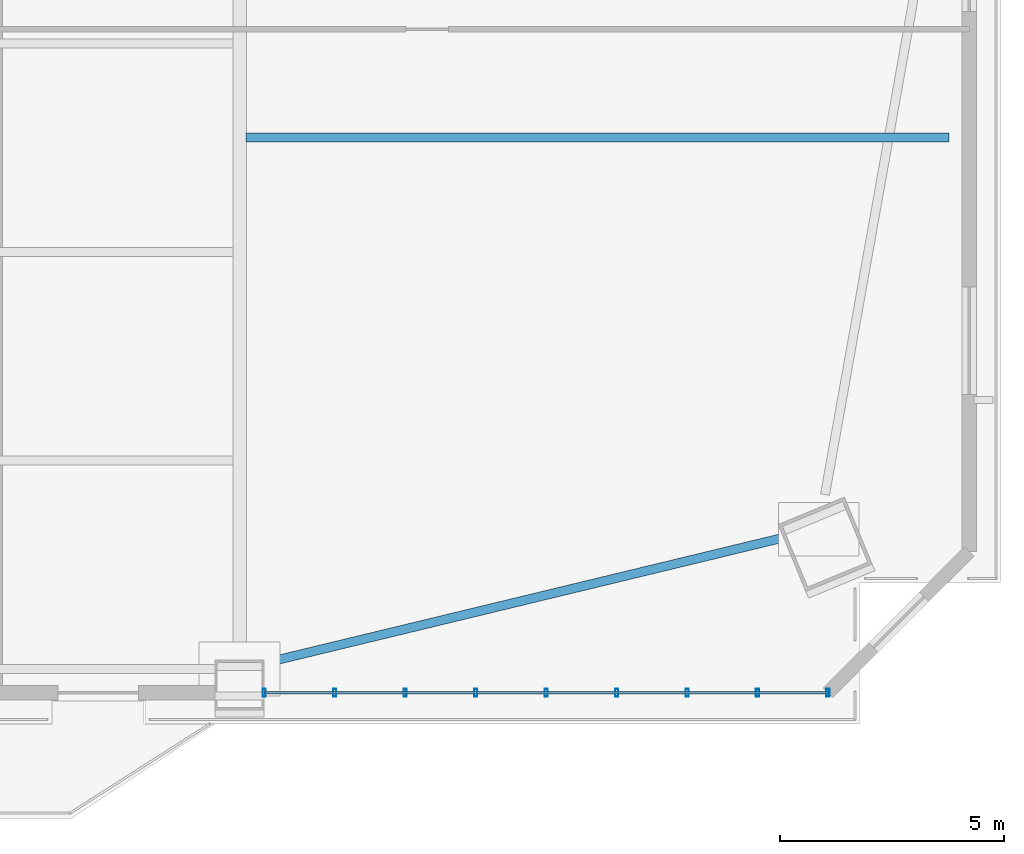
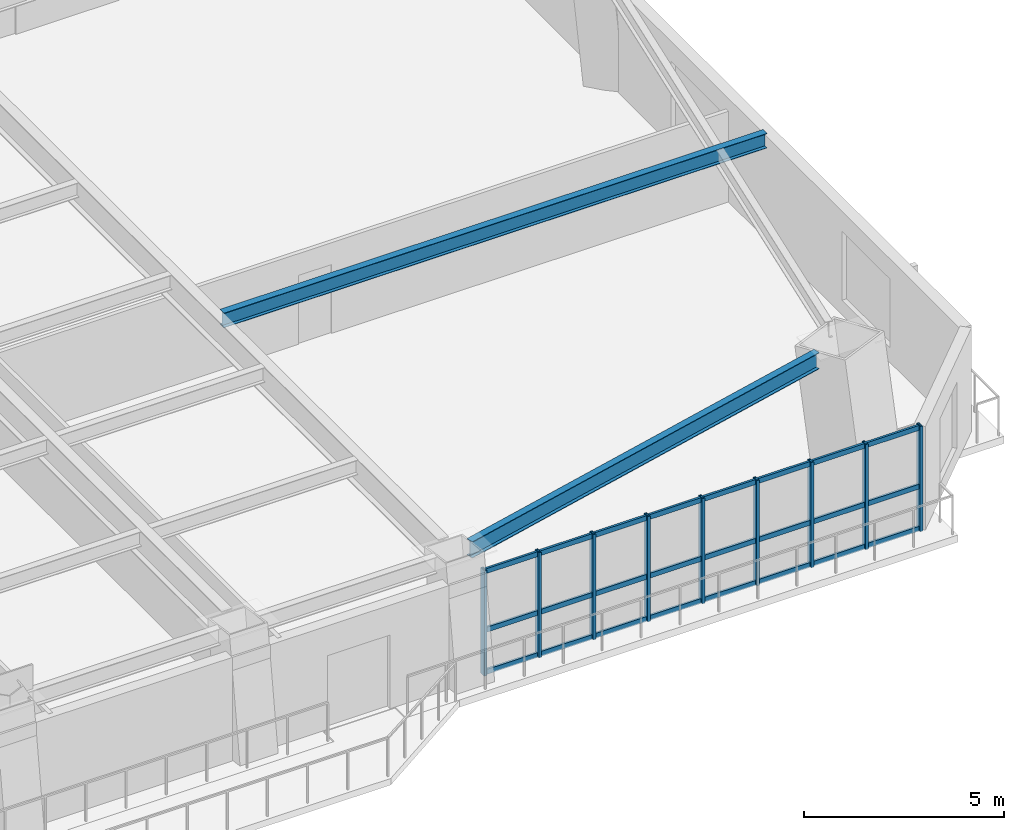
# One storey, part 6 of 17: 12 members, 2 beams, 1 element without a shape of its own.
"""IFC4 building model written with IfcOpenShell, lengths in metres."""

from ifc_helpers import new_model, si_unit, direction, frame, origin, origin_2d, place, context, subcontext, project, spatial, hollow_rectangle, i_section, extrude, source, transform, mapped, material, layer, layer_set, material_profile, profile_set, type_object, element, aggregate, save


model = new_model("IFC4")

# Units and contexts
model_context = context("Model", 3, precision=1e-05, world=origin(), true_north=direction((0.0, 1.0)))
body_context = subcontext(model_context, "Body", "Model", "MODEL_VIEW")
ifc_project = project(units=[si_unit("LENGTHUNIT", "METRE"), si_unit("AREAUNIT", "SQUARE_METRE"), si_unit("VOLUMEUNIT", "CUBIC_METRE"), si_unit("PLANEANGLEUNIT", "RADIAN"), si_unit("MASSUNIT", "GRAM", prefix="KILO")], contexts=[model_context])

# Site, building, storey
site_placement = place(None, origin())
site = spatial("IfcSite", under=ifc_project, at=site_placement, CompositionType="ELEMENT")
building_placement = place(site_placement, origin())
building = spatial("IfcBuilding", under=site, at=building_placement, Name="Giltprow Tower", CompositionType="ELEMENT")
storey_placement = place(building_placement, frame((0.0, 0.0, 57.199951171875)))
storey = spatial("IfcBuildingStorey", under=building, at=storey_placement, Name="L14", CompositionType="ELEMENT", Elevation=57.199951171875)

# Beams
ifc_material_1 = material(Name="Structural steel Q355B", Category="steel")
ifc_material_profile_1 = material_profile(ifc_material_1, i_section(OverallWidth=0.199951171875, OverallDepth=0.5, WebThickness=0.010009765625, FlangeThickness=0.01611328125, at=origin_2d()), Name="HN 500x200x10x16")
ifc_profile_set_1 = profile_set([ifc_material_profile_1], Name="Structural steel Q355B")
beam_type_1 = type_object("IfcBeamType", Name="BM-SPAN-HN500", PredefinedType="SPANDREL", material=ifc_profile_set_1)
shared_shape_1 = source(origin(), body_context, "Body", "SweptSolid", [
    extrude(i_section(OverallWidth=0.199951171875, OverallDepth=0.5, WebThickness=0.010009765625, FlangeThickness=0.01611328125, at=origin_2d()), origin(), (0.0, 0.0, 1.0), 11.9755859375),
])
beam_1_placement = place(storey_placement, frame((51.070068359375, 5.008056640625, 3.429931640625), z_axis=(0.972041306595, 0.234809919451, 0.0), x_axis=(-0.234809919451, 0.972041306595, 0.0)))
element("IfcBeam", 1, at=beam_1_placement, inside=storey, type_object=beam_type_1, Name="L14 Perimeter Spandrel Beam S4-MC_SE", PredefinedType="SPANDREL", context=body_context, shape_type="MappedRepresentation", body=[
    mapped(shared_shape_1, transform((0.0, 0.0, 0.0), x_axis=(1.0, 0.0, 0.0), y_axis=(0.0, 1.0, 0.0), z_axis=(0.0, 0.0, 1.0), scale=1.0)),
])
ifc_material_profile_2 = material_profile(ifc_material_1, i_section(OverallWidth=0.199951171875, OverallDepth=0.449951171875, WebThickness=0.009033203125, FlangeThickness=0.013916015625, at=origin_2d()), Name="HN 450x200x9x14")
ifc_profile_set_2 = profile_set([ifc_material_profile_2], Name="Structural steel Q355B")
beam_type_2 = type_object("IfcBeamType", Name="BM-JOIST-HN450", PredefinedType="JOIST", material=ifc_profile_set_2)
shared_shape_2 = source(origin(), body_context, "Body", "SweptSolid", [
    extrude(i_section(OverallWidth=0.199951171875, OverallDepth=0.449951171875, WebThickness=0.009033203125, FlangeThickness=0.013916015625, at=origin_2d()), origin(), (0.0, 0.0, 1.0), 15.680908203125),
])
beam_2_placement = place(storey_placement, frame((50.695068359375, 16.7470703125, 3.455078125), z_axis=(1.0, 0.0, 0.0), x_axis=(0.0, 1.0, 0.0)))
element("IfcBeam", 2, at=beam_2_placement, inside=storey, type_object=beam_type_2, Name="L14 East Wing Floor Joist 1", PredefinedType="JOIST", context=body_context, shape_type="MappedRepresentation", body=[
    mapped(shared_shape_2, transform((0.0, 0.0, 0.0), x_axis=(1.0, 0.0, 0.0), y_axis=(0.0, 1.0, 0.0), z_axis=(0.0, 0.0, 1.0), scale=1.0)),
])

# Curtain wall, members
ifc_material_2 = material(Name="Anodized bronze", Category="metal")
ifc_layer = layer(ifc_material_2, 0.179931640625, Name="Anodized bronze")
ifc_layer_set = layer_set([ifc_layer], Name="Anodized bronze")
curtain_wall_type = type_object("IfcCurtainWallType", Name="CW-OFF-RECESSED", PredefinedType="NOTDEFINED", material=ifc_layer_set)
curtain_wall_placement = place(storey_placement, origin())
curtain_wall = element("IfcCurtainWall", 3, at=curtain_wall_placement, inside=storey, type_object=curtain_wall_type, Name="L14 South Recessed Curtain Wall 6", PredefinedType="NOTDEFINED")
ifc_material_profile_3 = material_profile(ifc_material_2, hollow_rectangle(XDim=0.074951171875, YDim=0.179931640625, WallThickness=0.008056640625, at=origin_2d()), Name="RHS 180x75x8")
ifc_profile_set_3 = profile_set([ifc_material_profile_3], Name="Anodized bronze")
member_type_1 = type_object("IfcMemberType", Name="CW-MULLION-180x75", PredefinedType="MULLION", material=ifc_profile_set_3)
shared_shape_3 = source(origin(), body_context, "Body", "SweptSolid", [
    extrude(hollow_rectangle(XDim=0.074951171875, YDim=0.179931640625, WallThickness=0.008056640625, at=origin_2d()), origin(), (0.0, 0.0, 1.0), 3.215087890625),
])
member_1_placement = place(storey_placement, frame((51.10009765625, 4.35400390625, -0.02001953125), z_axis=(0.0, 0.0, 1.0), x_axis=(1.0, 0.0, 0.0)))
member_1 = element("IfcMember", 4, at=member_1_placement, type_object=member_type_1, Name="L14 South Recessed Curtain Wall 6 Mullion 1", PredefinedType="MULLION", context=body_context, shape_type="MappedRepresentation", body=[
    mapped(shared_shape_3, transform((0.0, 0.0, 0.0), x_axis=(1.0, 0.0, 0.0), y_axis=(0.0, 1.0, 0.0), z_axis=(0.0, 0.0, 1.0), scale=1.0)),
])
member_2_placement = place(storey_placement, frame((52.673095703125, 4.35400390625, -0.02001953125), z_axis=(0.0, 0.0, 1.0), x_axis=(1.0, 0.0, 0.0)))
member_2 = element("IfcMember", 5, at=member_2_placement, type_object=member_type_1, Name="L14 South Recessed Curtain Wall 6 Mullion 2", PredefinedType="MULLION", context=body_context, shape_type="MappedRepresentation", body=[
    mapped(shared_shape_3, transform((0.0, 0.0, 0.0), x_axis=(1.0, 0.0, 0.0), y_axis=(0.0, 1.0, 0.0), z_axis=(0.0, 0.0, 1.0), scale=1.0)),
])
member_3_placement = place(storey_placement, frame((54.2451171875, 4.35400390625, -0.02001953125), z_axis=(0.0, 0.0, 1.0), x_axis=(1.0, 0.0, 0.0)))
member_3 = element("IfcMember", 6, at=member_3_placement, type_object=member_type_1, Name="L14 South Recessed Curtain Wall 6 Mullion 3", PredefinedType="MULLION", context=body_context, shape_type="MappedRepresentation", body=[
    mapped(shared_shape_3, transform((0.0, 0.0, 0.0), x_axis=(1.0, 0.0, 0.0), y_axis=(0.0, 1.0, 0.0), z_axis=(0.0, 0.0, 1.0), scale=1.0)),
])
member_4_placement = place(storey_placement, frame((55.818115234375, 4.35400390625, -0.02001953125), z_axis=(0.0, 0.0, 1.0), x_axis=(1.0, 0.0, 0.0)))
member_4 = element("IfcMember", 7, at=member_4_placement, type_object=member_type_1, Name="L14 South Recessed Curtain Wall 6 Mullion 4", PredefinedType="MULLION", context=body_context, shape_type="MappedRepresentation", body=[
    mapped(shared_shape_3, transform((0.0, 0.0, 0.0), x_axis=(1.0, 0.0, 0.0), y_axis=(0.0, 1.0, 0.0), z_axis=(0.0, 0.0, 1.0), scale=1.0)),
])
member_5_placement = place(storey_placement, frame((57.39111328125, 4.35400390625, -0.02001953125), z_axis=(0.0, 0.0, 1.0), x_axis=(1.0, 0.0, 0.0)))
member_5 = element("IfcMember", 8, at=member_5_placement, type_object=member_type_1, Name="L14 South Recessed Curtain Wall 6 Mullion 5", PredefinedType="MULLION", context=body_context, shape_type="MappedRepresentation", body=[
    mapped(shared_shape_3, transform((0.0, 0.0, 0.0), x_axis=(1.0, 0.0, 0.0), y_axis=(0.0, 1.0, 0.0), z_axis=(0.0, 0.0, 1.0), scale=1.0)),
])
member_6_placement = place(storey_placement, frame((58.964111328125, 4.35400390625, -0.02001953125), z_axis=(0.0, 0.0, 1.0), x_axis=(1.0, 0.0, 0.0)))
member_6 = element("IfcMember", 9, at=member_6_placement, type_object=member_type_1, Name="L14 South Recessed Curtain Wall 6 Mullion 6", PredefinedType="MULLION", context=body_context, shape_type="MappedRepresentation", body=[
    mapped(shared_shape_3, transform((0.0, 0.0, 0.0), x_axis=(1.0, 0.0, 0.0), y_axis=(0.0, 1.0, 0.0), z_axis=(0.0, 0.0, 1.0), scale=1.0)),
])
member_7_placement = place(storey_placement, frame((60.537109375, 4.35400390625, -0.02001953125), z_axis=(0.0, 0.0, 1.0), x_axis=(1.0, 0.0, 0.0)))
member_7 = element("IfcMember", 10, at=member_7_placement, type_object=member_type_1, Name="L14 South Recessed Curtain Wall 6 Mullion 7", PredefinedType="MULLION", context=body_context, shape_type="MappedRepresentation", body=[
    mapped(shared_shape_3, transform((0.0, 0.0, 0.0), x_axis=(1.0, 0.0, 0.0), y_axis=(0.0, 1.0, 0.0), z_axis=(0.0, 0.0, 1.0), scale=1.0)),
])
member_8_placement = place(storey_placement, frame((62.10888671875, 4.35400390625, -0.02001953125), z_axis=(0.0, 0.0, 1.0), x_axis=(1.0, 0.0, 0.0)))
member_8 = element("IfcMember", 11, at=member_8_placement, type_object=member_type_1, Name="L14 South Recessed Curtain Wall 6 Mullion 8", PredefinedType="MULLION", context=body_context, shape_type="MappedRepresentation", body=[
    mapped(shared_shape_3, transform((0.0, 0.0, 0.0), x_axis=(1.0, 0.0, 0.0), y_axis=(0.0, 1.0, 0.0), z_axis=(0.0, 0.0, 1.0), scale=1.0)),
])
member_9_placement = place(storey_placement, frame((63.681884765625, 4.35400390625, -0.02001953125), z_axis=(0.0, 0.0, 1.0), x_axis=(1.0, 0.0, 0.0)))
member_9 = element("IfcMember", 12, at=member_9_placement, type_object=member_type_1, Name="L14 South Recessed Curtain Wall 6 Mullion 9", PredefinedType="MULLION", context=body_context, shape_type="MappedRepresentation", body=[
    mapped(shared_shape_3, transform((0.0, 0.0, 0.0), x_axis=(1.0, 0.0, 0.0), y_axis=(0.0, 1.0, 0.0), z_axis=(0.0, 0.0, 1.0), scale=1.0)),
])
ifc_material_profile_4 = material_profile(ifc_material_2, hollow_rectangle(XDim=0.06494140625, YDim=0.14990234375, WallThickness=0.006103515625, at=origin_2d()), Name="RHS 150x65x6")
ifc_profile_set_4 = profile_set([ifc_material_profile_4], Name="Anodized bronze")
member_type_2 = type_object("IfcMemberType", Name="CW-TRANSOM-150x65", PredefinedType="USERDEFINED", material=ifc_profile_set_4)
shared_shape_4 = source(origin(), body_context, "Body", "SweptSolid", [
    extrude(hollow_rectangle(XDim=0.06494140625, YDim=0.14990234375, WallThickness=0.006103515625, at=origin_2d()), origin(), (0.0, 0.0, 1.0), 12.581787109375),
])
member_10_placement = place(storey_placement, frame((51.10009765625, 4.35400390625, 0.0400390625), z_axis=(1.0, 0.0, 0.0), x_axis=(0.0, 1.0, 0.0)))
member_10 = element("IfcMember", 13, at=member_10_placement, type_object=member_type_2, Name="L14 South Recessed Curtain Wall 6 Transom 1", ObjectType="TRANSOM", PredefinedType="USERDEFINED", context=body_context, shape_type="MappedRepresentation", body=[
    mapped(shared_shape_4, transform((0.0, 0.0, 0.0), x_axis=(1.0, 0.0, 0.0), y_axis=(0.0, 1.0, 0.0), z_axis=(0.0, 0.0, 1.0), scale=1.0)),
])
member_11_placement = place(storey_placement, frame((51.10009765625, 4.35400390625, 1.3271484375), z_axis=(1.0, 0.0, 0.0), x_axis=(0.0, 1.0, 0.0)))
member_11 = element("IfcMember", 14, at=member_11_placement, type_object=member_type_2, Name="L14 South Recessed Curtain Wall 6 Transom 2", ObjectType="TRANSOM", PredefinedType="USERDEFINED", context=body_context, shape_type="MappedRepresentation", body=[
    mapped(shared_shape_4, transform((0.0, 0.0, 0.0), x_axis=(1.0, 0.0, 0.0), y_axis=(0.0, 1.0, 0.0), z_axis=(0.0, 0.0, 1.0), scale=1.0)),
])
member_12_placement = place(storey_placement, frame((51.10009765625, 4.35400390625, 3.1201171875), z_axis=(1.0, 0.0, 0.0), x_axis=(0.0, 1.0, 0.0)))
member_12 = element("IfcMember", 15, at=member_12_placement, type_object=member_type_2, Name="L14 South Recessed Curtain Wall 6 Transom 3", ObjectType="TRANSOM", PredefinedType="USERDEFINED", context=body_context, shape_type="MappedRepresentation", body=[
    mapped(shared_shape_4, transform((0.0, 0.0, 0.0), x_axis=(1.0, 0.0, 0.0), y_axis=(0.0, 1.0, 0.0), z_axis=(0.0, 0.0, 1.0), scale=1.0)),
])
aggregate(curtain_wall, [member_1, member_2, member_3, member_4, member_5, member_6, member_7, member_8, member_9, member_10, member_11, member_12])

save(model, "model.ifc")
